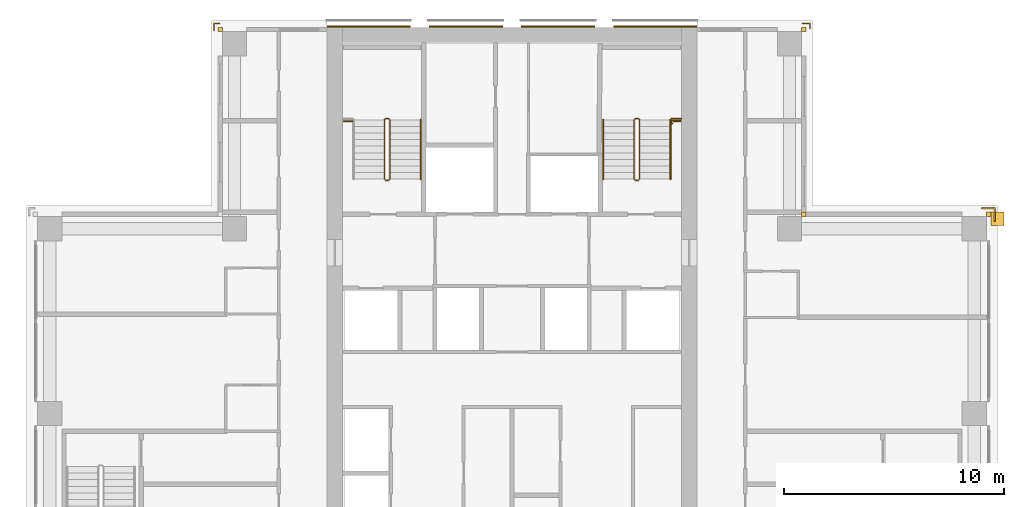
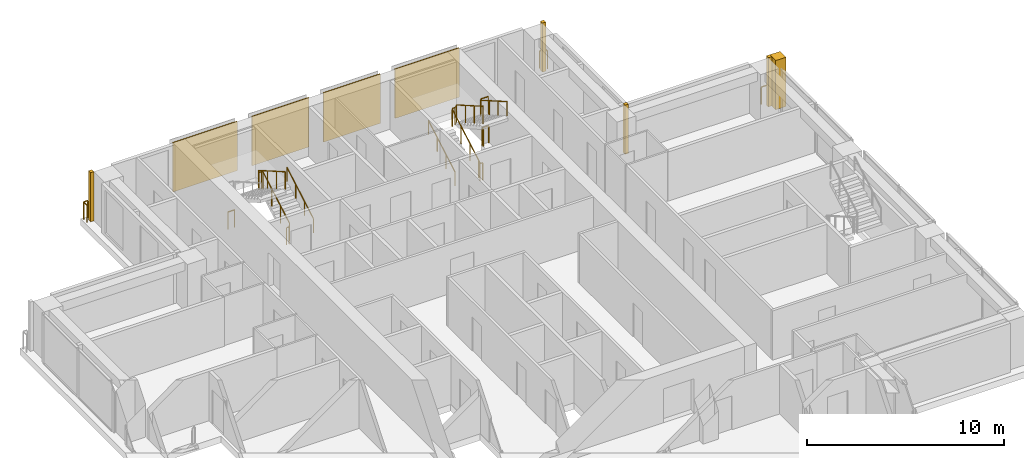
# One storey, part 16 of 16: 11 railings, 9 coverings.
"""IFC4 building model written with IfcOpenShell, lengths in metres."""

from ifc_helpers import new_model, si_unit, direction, frame, origin, origin_2d, place, context, subcontext, project, spatial, polyline, rectangle, outline, extrude, material, type_object, element, save


model = new_model("IFC4")

# Units and contexts
model_context = context("Model", 3, precision=1e-05, world=origin(), true_north=direction((0.0, 1.0)))
body_context = subcontext(model_context, "Body", "Model", "MODEL_VIEW")
ifc_project = project(units=[si_unit("LENGTHUNIT", "METRE"), si_unit("AREAUNIT", "SQUARE_METRE"), si_unit("VOLUMEUNIT", "CUBIC_METRE"), si_unit("PLANEANGLEUNIT", "RADIAN"), si_unit("MASSUNIT", "GRAM", prefix="KILO")], contexts=[model_context])

# Site, building, storey
site_placement = place(None, origin())
site = spatial("IfcSite", under=ifc_project, at=site_placement, CompositionType="ELEMENT")
building_placement = place(site_placement, origin())
building = spatial("IfcBuilding", under=site, at=building_placement, Name="Vermilion Ogive Tower", CompositionType="ELEMENT")
storey_placement = place(building_placement, frame((0.0, 0.0, 160.699951171875)))
storey = spatial("IfcBuildingStorey", under=building, at=storey_placement, Name="L41", CompositionType="ELEMENT", Elevation=160.699951171875)

# Railings
ifc_material_1 = material(Name="Stainless steel", Category="steel")
railing_type_1 = type_object("IfcRailingType", Name="Slab edge guard SG1", PredefinedType="GUARDRAIL", material=ifc_material_1)
railing_1_placement = place(storey_placement, frame((-13.530029296875, 21.60009765625, 0.0)))
element("IfcRailing", 1, at=railing_1_placement, inside=storey, type_object=railing_type_1, Name="L41 slab corner guard", PredefinedType="GUARDRAIL", context=body_context, shape_type="SweptSolid", body=[
    extrude(rectangle(XDim=0.050048828125, YDim=0.050048828125, at=origin_2d()), frame((0.0, 0.0, 1.0751953125), z_axis=(0.0, 1.0, 0.0), x_axis=(-1.0, 0.0, 0.0)), (0.0, 0.0, 1.0), 0.329833984375),
    extrude(rectangle(XDim=0.050048828125, YDim=0.050048828125, at=origin_2d()), frame((0.0, 0.329833984375, 1.0751953125), z_axis=(1.0, 0.0, 0.0), x_axis=(0.0, 1.0, 0.0)), (0.0, 0.0, 1.0), 0.22998046875),
    extrude(rectangle(XDim=0.050048828125, YDim=0.050048828125, at=origin_2d()), origin(), (0.0, 0.0, 1.0), 1.050048828125),
    extrude(rectangle(XDim=0.050048828125, YDim=0.050048828125, at=origin_2d()), frame((0.0, 0.329833984375, 0.0)), (0.0, 0.0, 1.0), 1.050048828125),
    extrude(rectangle(XDim=0.050048828125, YDim=0.050048828125, at=origin_2d()), frame((0.22998046875, 0.329833984375, 0.0)), (0.0, 0.0, 1.0), 1.050048828125),
])
railing_2_placement = place(storey_placement, frame((13.199951171875, 21.929931640625, 0.0)))
element("IfcRailing", 2, at=railing_2_placement, inside=storey, type_object=railing_type_1, Name="L41 slab corner guard", PredefinedType="GUARDRAIL", context=body_context, shape_type="SweptSolid", body=[
    extrude(rectangle(XDim=0.050048828125, YDim=0.050048828125, at=origin_2d()), frame((0.0, 0.0, 1.0751953125), z_axis=(1.0, 0.0, 0.0), x_axis=(0.0, 1.0, 0.0)), (0.0, 0.0, 1.0), 0.330078125),
    extrude(rectangle(XDim=0.050048828125, YDim=0.050048828125, at=origin_2d()), frame((0.330078125, 0.0, 1.0751953125), z_axis=(0.0, -1.0, 0.0), x_axis=(1.0, 0.0, 0.0)), (0.0, 0.0, 1.0), 0.22998046875),
    extrude(rectangle(XDim=0.050048828125, YDim=0.050048828125, at=origin_2d()), origin(), (0.0, 0.0, 1.0), 1.050048828125),
    extrude(rectangle(XDim=0.050048828125, YDim=0.050048828125, at=origin_2d()), frame((0.330078125, 0.0, 0.0)), (0.0, 0.0, 1.0), 1.050048828125),
    extrude(rectangle(XDim=0.050048828125, YDim=0.050048828125, at=origin_2d()), frame((0.330078125, -0.22998046875, 0.0)), (0.0, 0.0, 1.0), 1.050048828125),
])
railing_3_placement = place(storey_placement, frame((21.929931640625, 12.949951171875, 0.0)))
element("IfcRailing", 3, at=railing_3_placement, inside=storey, type_object=railing_type_1, Name="L41 slab corner guard", PredefinedType="GUARDRAIL", context=body_context, shape_type="SweptSolid", body=[
    extrude(rectangle(XDim=0.050048828125, YDim=0.050048828125, at=origin_2d()), frame((0.0, 0.0, 1.0751953125), z_axis=(0.0, 1.0, 0.0), x_axis=(-1.0, 0.0, 0.0)), (0.0, 0.0, 1.0), 0.580078125),
    extrude(rectangle(XDim=0.050048828125, YDim=0.050048828125, at=origin_2d()), frame((0.0, 0.580078125, 1.0751953125), z_axis=(-1.0, 0.0, 0.0), x_axis=(0.0, -1.0, 0.0)), (0.0, 0.0, 1.0), 0.579833984375),
    extrude(rectangle(XDim=0.050048828125, YDim=0.050048828125, at=origin_2d()), origin(), (0.0, 0.0, 1.0), 1.050048828125),
    extrude(rectangle(XDim=0.050048828125, YDim=0.050048828125, at=origin_2d()), frame((0.0, 0.580078125, 0.0)), (0.0, 0.0, 1.0), 1.050048828125),
    extrude(rectangle(XDim=0.050048828125, YDim=0.050048828125, at=origin_2d()), frame((-0.579833984375, 0.580078125, 0.0)), (0.0, 0.0, 1.0), 1.050048828125),
])
ifc_material_2 = material(Name="Steel S355 painted", Category="steel")
railing_type_2 = type_object("IfcRailingType", Name="Stair guard 1100", PredefinedType="GUARDRAIL", material=ifc_material_2)
railing_4_placement = place(storey_placement, frame((-5.75, 14.800048828125, 0.0)))
element("IfcRailing", 4, at=railing_4_placement, inside=storey, type_object=railing_type_2, Name="L41 ST1 stair guard 4", PredefinedType="GUARDRAIL", context=body_context, shape_type="SweptSolid", body=[
    extrude(rectangle(XDim=0.048095703125, YDim=0.048095703125, at=origin_2d()), frame((0.0, 0.0, 1.076171875), z_axis=(1.0, 0.0, 0.0), x_axis=(0.0, 1.0, 0.0)), (0.0, 0.0, 1.0), 0.14990234375),
    extrude(rectangle(XDim=0.048095703125, YDim=0.048095703125, at=origin_2d()), frame((0.14990234375, 0.0, 1.076171875), z_axis=(0.268277960024, 0.268277960024, 0.925231793839), x_axis=(-0.707106781187, 0.707106781187, 0.0)), (0.0, 0.0, 1.0), 0.1865234375),
    extrude(rectangle(XDim=0.048095703125, YDim=0.048095703125, at=origin_2d()), frame((0.199951171875, 0.050048828125, 1.24853515625), z_axis=(0.0, 0.866903762492, 0.498475542607), x_axis=(-1.0, 0.0, 0.0)), (0.0, 0.0, 1.0), 3.114501953125),
    extrude(rectangle(XDim=0.048095703125, YDim=0.048095703125, at=origin_2d()), frame((0.199951171875, 2.75, 2.80126953125), z_axis=(-0.707106781187, 0.707106781187, 0.0), x_axis=(-0.707106781187, -0.707106781187, 0.0)), (0.0, 0.0, 1.0), 0.07080078125),
    extrude(rectangle(XDim=0.048095703125, YDim=0.048095703125, at=origin_2d()), frame((0.14990234375, 2.800048828125, 2.80126953125), z_axis=(-1.0, 0.0, 0.0), x_axis=(0.0, -1.0, 0.0)), (0.0, 0.0, 1.0), 0.14990234375),
    extrude(rectangle(XDim=0.048095703125, YDim=0.048095703125, at=origin_2d()), frame((0.0, 2.800048828125, 2.80126953125), z_axis=(-0.268603158521, -0.268603158521, 0.925043072762), x_axis=(0.707106781187, -0.707106781187, 0.0)), (0.0, 0.0, 1.0), 0.186279296875),
    extrude(rectangle(XDim=0.048095703125, YDim=0.048095703125, at=origin_2d()), frame((-0.050048828125, 2.75, 2.9736328125), z_axis=(0.0, -0.866903762492, 0.498475542607), x_axis=(1.0, 0.0, 0.0)), (0.0, 0.0, 1.0), 3.114501953125),
    extrude(rectangle(XDim=0.0419921875, YDim=0.0419921875, at=origin_2d()), origin(), (0.0, 0.0, 1.0), 1.052001953125),
    extrude(rectangle(XDim=0.0419921875, YDim=0.0419921875, at=origin_2d()), frame((0.14990234375, 0.0, 0.0)), (0.0, 0.0, 1.0), 1.052001953125),
    extrude(rectangle(XDim=0.0419921875, YDim=0.0419921875, at=origin_2d()), frame((0.199951171875, 0.050048828125, 0.172607421875)), (0.0, 0.0, 1.0), 1.052001953125),
    extrude(rectangle(XDim=0.0419921875, YDim=0.0419921875, at=origin_2d()), frame((0.199951171875, 0.949951171875, 0.690185546875)), (0.0, 0.0, 1.0), 1.052001953125),
    extrude(rectangle(XDim=0.0419921875, YDim=0.0419921875, at=origin_2d()), frame((0.199951171875, 1.85009765625, 1.20751953125)), (0.0, 0.0, 1.0), 1.052001953125),
    extrude(rectangle(XDim=0.0419921875, YDim=0.0419921875, at=origin_2d()), frame((0.199951171875, 2.75, 1.72509765625)), (0.0, 0.0, 1.0), 1.052001953125),
    extrude(rectangle(XDim=0.0419921875, YDim=0.0419921875, at=origin_2d()), frame((0.14990234375, 2.800048828125, 1.72509765625)), (0.0, 0.0, 1.0), 1.052001953125),
    extrude(rectangle(XDim=0.0419921875, YDim=0.0419921875, at=origin_2d()), frame((0.0, 2.800048828125, 1.72509765625)), (0.0, 0.0, 1.0), 1.052001953125),
    extrude(rectangle(XDim=0.0419921875, YDim=0.0419921875, at=origin_2d()), frame((-0.050048828125, 2.75, 1.8974609375)), (0.0, 0.0, 1.0), 1.052001953125),
    extrude(rectangle(XDim=0.0419921875, YDim=0.0419921875, at=origin_2d()), frame((-0.050048828125, 1.85009765625, 2.4150390625)), (0.0, 0.0, 1.0), 1.052001953125),
    extrude(rectangle(XDim=0.0419921875, YDim=0.0419921875, at=origin_2d()), frame((-0.050048828125, 0.949951171875, 2.932373046875)), (0.0, 0.0, 1.0), 1.052001953125),
    extrude(rectangle(XDim=0.0419921875, YDim=0.0419921875, at=origin_2d()), frame((-0.050048828125, 0.050048828125, 3.449951171875)), (0.0, 0.0, 1.0), 1.052001953125),
])
railing_5_placement = place(storey_placement, frame((5.75, 14.800048828125, 0.0)))
element("IfcRailing", 5, at=railing_5_placement, inside=storey, type_object=railing_type_2, Name="L41 ST2 stair guard 4", PredefinedType="GUARDRAIL", context=body_context, shape_type="SweptSolid", body=[
    extrude(rectangle(XDim=0.048095703125, YDim=0.048095703125, at=origin_2d()), frame((0.0, 0.0, 1.076171875), z_axis=(-1.0, 0.0, 0.0), x_axis=(0.0, -1.0, 0.0)), (0.0, 0.0, 1.0), 0.14990234375),
    extrude(rectangle(XDim=0.048095703125, YDim=0.048095703125, at=origin_2d()), frame((-0.14990234375, 0.0, 1.076171875), z_axis=(-0.268277960024, 0.268277960024, 0.925231793839), x_axis=(-0.707106781187, -0.707106781187, 0.0)), (0.0, 0.0, 1.0), 0.1865234375),
    extrude(rectangle(XDim=0.048095703125, YDim=0.048095703125, at=origin_2d()), frame((-0.199951171875, 0.050048828125, 1.24853515625), z_axis=(0.0, 0.866903762492, 0.498475542607), x_axis=(-1.0, 0.0, 0.0)), (0.0, 0.0, 1.0), 3.114501953125),
    extrude(rectangle(XDim=0.048095703125, YDim=0.048095703125, at=origin_2d()), frame((-0.199951171875, 2.75, 2.80126953125), z_axis=(0.707106781187, 0.707106781187, 0.0), x_axis=(-0.707106781187, 0.707106781187, 0.0)), (0.0, 0.0, 1.0), 0.07080078125),
    extrude(rectangle(XDim=0.048095703125, YDim=0.048095703125, at=origin_2d()), frame((-0.14990234375, 2.800048828125, 2.80126953125), z_axis=(1.0, 0.0, 0.0), x_axis=(0.0, 1.0, 0.0)), (0.0, 0.0, 1.0), 0.14990234375),
    extrude(rectangle(XDim=0.048095703125, YDim=0.048095703125, at=origin_2d()), frame((0.0, 2.800048828125, 2.80126953125), z_axis=(0.268603158521, -0.268603158521, 0.925043072762), x_axis=(0.707106781187, 0.707106781187, 0.0)), (0.0, 0.0, 1.0), 0.186279296875),
    extrude(rectangle(XDim=0.048095703125, YDim=0.048095703125, at=origin_2d()), frame((0.050048828125, 2.75, 2.9736328125), z_axis=(0.0, -0.866903762492, 0.498475542607), x_axis=(1.0, 0.0, 0.0)), (0.0, 0.0, 1.0), 3.114501953125),
    extrude(rectangle(XDim=0.0419921875, YDim=0.0419921875, at=origin_2d()), origin(), (0.0, 0.0, 1.0), 1.052001953125),
    extrude(rectangle(XDim=0.0419921875, YDim=0.0419921875, at=origin_2d()), frame((-0.14990234375, 0.0, 0.0)), (0.0, 0.0, 1.0), 1.052001953125),
    extrude(rectangle(XDim=0.0419921875, YDim=0.0419921875, at=origin_2d()), frame((-0.199951171875, 0.050048828125, 0.172607421875)), (0.0, 0.0, 1.0), 1.052001953125),
    extrude(rectangle(XDim=0.0419921875, YDim=0.0419921875, at=origin_2d()), frame((-0.199951171875, 0.949951171875, 0.690185546875)), (0.0, 0.0, 1.0), 1.052001953125),
    extrude(rectangle(XDim=0.0419921875, YDim=0.0419921875, at=origin_2d()), frame((-0.199951171875, 1.85009765625, 1.20751953125)), (0.0, 0.0, 1.0), 1.052001953125),
    extrude(rectangle(XDim=0.0419921875, YDim=0.0419921875, at=origin_2d()), frame((-0.199951171875, 2.75, 1.72509765625)), (0.0, 0.0, 1.0), 1.052001953125),
    extrude(rectangle(XDim=0.0419921875, YDim=0.0419921875, at=origin_2d()), frame((-0.14990234375, 2.800048828125, 1.72509765625)), (0.0, 0.0, 1.0), 1.052001953125),
    extrude(rectangle(XDim=0.0419921875, YDim=0.0419921875, at=origin_2d()), frame((0.0, 2.800048828125, 1.72509765625)), (0.0, 0.0, 1.0), 1.052001953125),
    extrude(rectangle(XDim=0.0419921875, YDim=0.0419921875, at=origin_2d()), frame((0.050048828125, 2.75, 1.8974609375)), (0.0, 0.0, 1.0), 1.052001953125),
    extrude(rectangle(XDim=0.0419921875, YDim=0.0419921875, at=origin_2d()), frame((0.050048828125, 1.85009765625, 2.4150390625)), (0.0, 0.0, 1.0), 1.052001953125),
    extrude(rectangle(XDim=0.0419921875, YDim=0.0419921875, at=origin_2d()), frame((0.050048828125, 0.949951171875, 2.932373046875)), (0.0, 0.0, 1.0), 1.052001953125),
    extrude(rectangle(XDim=0.0419921875, YDim=0.0419921875, at=origin_2d()), frame((0.050048828125, 0.050048828125, 3.449951171875)), (0.0, 0.0, 1.0), 1.052001953125),
])
railing_6_placement = place(storey_placement, frame((7.25, 17.60009765625, 1.72509765625)))
element("IfcRailing", 6, at=railing_6_placement, inside=storey, type_object=railing_type_2, Name="L41 landing guard", PredefinedType="GUARDRAIL", context=body_context, shape_type="SweptSolid", body=[
    extrude(rectangle(XDim=0.048095703125, YDim=0.048095703125, at=origin_2d()), frame((0.0, 0.0, 1.076171875), z_axis=(1.0, 0.0, 0.0), x_axis=(0.0, 1.0, 0.0)), (0.0, 0.0, 1.0), 0.449951171875),
    extrude(rectangle(XDim=0.0419921875, YDim=0.0419921875, at=origin_2d()), origin(), (0.0, 0.0, 1.0), 1.052001953125),
    extrude(rectangle(XDim=0.0419921875, YDim=0.0419921875, at=origin_2d()), frame((0.449951171875, 0.0, 0.0)), (0.0, 0.0, 1.0), 1.052001953125),
])
railing_7_placement = place(storey_placement, frame((-7.639892578125, 17.489990234375, 0.0)))
element("IfcRailing", 7, at=railing_7_placement, inside=storey, type_object=railing_type_2, Name="L41 stair opening guard", PredefinedType="GUARDRAIL", context=body_context, shape_type="SweptSolid", body=[
    extrude(rectangle(XDim=0.048095703125, YDim=0.048095703125, at=origin_2d()), frame((0.0, 0.0, 1.076171875), z_axis=(1.0, 0.0, 0.0), x_axis=(0.0, 1.0, 0.0)), (0.0, 0.0, 1.0), 0.389892578125),
    extrude(rectangle(XDim=0.0419921875, YDim=0.0419921875, at=origin_2d()), origin(), (0.0, 0.0, 1.0), 1.052001953125),
    extrude(rectangle(XDim=0.0419921875, YDim=0.0419921875, at=origin_2d()), frame((0.389892578125, 0.0, 0.0)), (0.0, 0.0, 1.0), 1.052001953125),
])
railing_8_placement = place(storey_placement, frame((7.267578125, 17.372802734375, 0.0)))
element("IfcRailing", 8, at=railing_8_placement, inside=storey, type_object=railing_type_2, Name="L41 stair opening guard", PredefinedType="GUARDRAIL", context=body_context, shape_type="SweptSolid", body=[
    extrude(rectangle(XDim=0.048095703125, YDim=0.048095703125, at=origin_2d()), frame((0.0, 0.0, 1.076171875), z_axis=(0.0, 1.0, 0.0), x_axis=(-1.0, 0.0, 0.0)), (0.0, 0.0, 1.0), 0.119873046875),
    extrude(rectangle(XDim=0.048095703125, YDim=0.048095703125, at=origin_2d()), frame((0.0, 0.119873046875, 1.076171875), z_axis=(1.0, 0.0, 0.0), x_axis=(0.0, 1.0, 0.0)), (0.0, 0.0, 1.0), 0.39013671875),
    extrude(rectangle(XDim=0.0419921875, YDim=0.0419921875, at=origin_2d()), origin(), (0.0, 0.0, 1.0), 1.052001953125),
    extrude(rectangle(XDim=0.0419921875, YDim=0.0419921875, at=origin_2d()), frame((0.0, 0.119873046875, 0.0)), (0.0, 0.0, 1.0), 1.052001953125),
    extrude(rectangle(XDim=0.0419921875, YDim=0.0419921875, at=origin_2d()), frame((0.39013671875, 0.119873046875, 0.0)), (0.0, 0.0, 1.0), 1.052001953125),
])
ifc_material_3 = material(Name="Stainless steel", Category="steel")
railing_type_3 = type_object("IfcRailingType", Name="Stair handrail 900", PredefinedType="HANDRAIL", material=ifc_material_3)
for number, where, name in (
    (9, (-4.14990234375, 14.85009765625, 0.172607421875), "L41 ST1 stair handrail 1"),
    (10, (4.14990234375, 14.85009765625, 0.172607421875), "L41 ST2 stair handrail 1"),
):
    element("IfcRailing", number, at=place(storey_placement, frame(where)), inside=storey, type_object=railing_type_3, Name=name, PredefinedType="HANDRAIL", context=body_context, shape_type="SweptSolid", body=[
        extrude(rectangle(XDim=0.048095703125, YDim=0.048095703125, at=origin_2d()), frame((0.0, 0.0, 0.8759765625), z_axis=(0.0, 0.866903762492, 0.498475542607), x_axis=(-1.0, 0.0, 0.0)), (0.0, 0.0, 1.0), 3.114501953125),
        extrude(rectangle(XDim=0.0419921875, YDim=0.0419921875, at=origin_2d()), origin(), (0.0, 0.0, 1.0), 0.851806640625),
        extrude(rectangle(XDim=0.0419921875, YDim=0.0419921875, at=origin_2d()), frame((0.0, 0.89990234375, 0.517578125)), (0.0, 0.0, 1.0), 0.851806640625),
        extrude(rectangle(XDim=0.0419921875, YDim=0.0419921875, at=origin_2d()), frame((0.0, 1.800048828125, 1.034912109375)), (0.0, 0.0, 1.0), 0.851806640625),
        extrude(rectangle(XDim=0.0419921875, YDim=0.0419921875, at=origin_2d()), frame((0.0, 2.699951171875, 1.552490234375)), (0.0, 0.0, 1.0), 0.851806640625),
    ])
railing_9_placement = place(storey_placement, frame((7.199951171875, 17.550048828125, 1.8974609375)))
element("IfcRailing", 11, at=railing_9_placement, inside=storey, type_object=railing_type_3, Name="L41 ST2 stair handrail 2", PredefinedType="HANDRAIL", context=body_context, shape_type="SweptSolid", body=[
    extrude(rectangle(XDim=0.048095703125, YDim=0.048095703125, at=origin_2d()), frame((0.0, 0.0, 0.8759765625), z_axis=(0.0, -0.866903762492, 0.498475542607), x_axis=(1.0, 0.0, 0.0)), (0.0, 0.0, 1.0), 3.114501953125),
    extrude(rectangle(XDim=0.0419921875, YDim=0.0419921875, at=origin_2d()), origin(), (0.0, 0.0, 1.0), 0.851806640625),
    extrude(rectangle(XDim=0.0419921875, YDim=0.0419921875, at=origin_2d()), frame((0.0, -0.89990234375, 0.517578125)), (0.0, 0.0, 1.0), 0.851806640625),
    extrude(rectangle(XDim=0.0419921875, YDim=0.0419921875, at=origin_2d()), frame((0.0, -1.800048828125, 1.034912109375)), (0.0, 0.0, 1.0), 0.851806640625),
    extrude(rectangle(XDim=0.0419921875, YDim=0.0419921875, at=origin_2d()), frame((0.0, -2.699951171875, 1.552490234375)), (0.0, 0.0, 1.0), 0.851806640625),
])

# Coverings
ifc_material_4 = material(Name="Stone cladding", Category="masonry")
covering_type_1 = type_object("IfcCoveringType", Name="Stone cladding panel", PredefinedType="CLADDING", material=ifc_material_4)
covering_1_placement = place(storey_placement, origin())
element("IfcCovering", 12, at=covering_1_placement, inside=storey, type_object=covering_type_1, Name="Stone cladding panel N1", PredefinedType="CLADDING", context=body_context, shape_type="SweptSolid", body=[
    extrude(outline(polyline([(-8.389892578125, 21.75), (-4.6298828125, 21.75), (-4.6298828125, 21.81005859375), (-8.389892578125, 21.81005859375), (-8.389892578125, 21.75)])), origin(), (0.0, 0.0, 1.0), 3.050048828125),
])
covering_2_placement = place(storey_placement, origin())
element("IfcCovering", 13, at=covering_2_placement, inside=storey, type_object=covering_type_1, Name="Stone cladding panel N2", PredefinedType="CLADDING", context=body_context, shape_type="SweptSolid", body=[
    extrude(outline(polyline([(-3.77001953125, 21.75), (-0.429931640625, 21.75), (-0.429931640625, 21.81005859375), (-3.77001953125, 21.81005859375), (-3.77001953125, 21.75)])), origin(), (0.0, 0.0, 1.0), 3.050048828125),
])
covering_3_placement = place(storey_placement, origin())
element("IfcCovering", 14, at=covering_3_placement, inside=storey, type_object=covering_type_1, Name="Stone cladding panel N3", PredefinedType="CLADDING", context=body_context, shape_type="SweptSolid", body=[
    extrude(outline(polyline([(0.429931640625, 21.75), (3.77001953125, 21.75), (3.77001953125, 21.81005859375), (0.429931640625, 21.81005859375), (0.429931640625, 21.75)])), origin(), (0.0, 0.0, 1.0), 3.050048828125),
])
covering_4_placement = place(storey_placement, origin())
element("IfcCovering", 15, at=covering_4_placement, inside=storey, type_object=covering_type_1, Name="Stone cladding panel N4", PredefinedType="CLADDING", context=body_context, shape_type="SweptSolid", body=[
    extrude(outline(polyline([(4.6298828125, 21.75), (8.389892578125, 21.75), (8.389892578125, 21.81005859375), (4.6298828125, 21.81005859375), (4.6298828125, 21.75)])), origin(), (0.0, 0.0, 1.0), 3.050048828125),
])
ifc_material_5 = material(Name="Stone cladding", Category="masonry")
covering_type_2 = type_object("IfcCoveringType", Name="Stone corner buttress", PredefinedType="CLADDING", material=ifc_material_5)
covering_5_placement = place(storey_placement, origin())
element("IfcCovering", 16, at=covering_5_placement, inside=storey, type_object=covering_type_2, Name="Stone crease pier EK", PredefinedType="CLADDING", context=body_context, shape_type="SweptSolid", body=[
    extrude(outline(polyline([(22.35009765625, 12.75), (22.35009765625, 13.35009765625), (21.75, 13.35009765625), (21.75, 12.75), (22.35009765625, 12.75)])), origin(), (0.0, 0.0, 1.0), 3.050048828125),
])
ifc_material_6 = material(Name="Stone cladding", Category="masonry")
covering_type_3 = type_object("IfcCoveringType", Name="Stone pier", PredefinedType="CLADDING", material=ifc_material_6)
covering_6_placement = place(storey_placement, origin())
element("IfcCovering", 17, at=covering_6_placement, inside=storey, type_object=covering_type_3, Name="Stone corner pier EE1", PredefinedType="CLADDING", context=body_context, shape_type="SweptSolid", body=[
    extrude(outline(polyline([(21.75, 13.14990234375), (21.550048828125, 13.14990234375), (21.550048828125, 13.35009765625), (21.75, 13.35009765625), (21.75, 13.14990234375)])), origin(), (0.0, 0.0, 1.0), 3.050048828125),
])
covering_7_placement = place(storey_placement, origin())
element("IfcCovering", 18, at=covering_7_placement, inside=storey, type_object=covering_type_3, Name="Stone corner pier X3E1", PredefinedType="CLADDING", context=body_context, shape_type="SweptSolid", body=[
    extrude(outline(polyline([(13.14990234375, 13.14990234375), (13.14990234375, 13.35009765625), (13.35009765625, 13.35009765625), (13.35009765625, 13.14990234375), (13.14990234375, 13.14990234375)])), origin(), (0.0, 0.0, 1.0), 3.050048828125),
])
covering_8_placement = place(storey_placement, origin())
element("IfcCovering", 19, at=covering_8_placement, inside=storey, type_object=covering_type_3, Name="Stone corner pier X4E1", PredefinedType="CLADDING", context=body_context, shape_type="SweptSolid", body=[
    extrude(outline(polyline([(13.35009765625, 21.550048828125), (13.14990234375, 21.550048828125), (13.14990234375, 21.75), (13.35009765625, 21.75), (13.35009765625, 21.550048828125)])), origin(), (0.0, 0.0, 1.0), 3.050048828125),
])
covering_9_placement = place(storey_placement, origin())
element("IfcCovering", 20, at=covering_9_placement, inside=storey, type_object=covering_type_3, Name="Stone corner pier N2E1", PredefinedType="CLADDING", context=body_context, shape_type="SweptSolid", body=[
    extrude(outline(polyline([(-13.14990234375, 21.75), (-13.14990234375, 21.550048828125), (-13.35009765625, 21.550048828125), (-13.35009765625, 21.75), (-13.14990234375, 21.75)])), origin(), (0.0, 0.0, 1.0), 3.050048828125),
])

save(model, "model.ifc")
